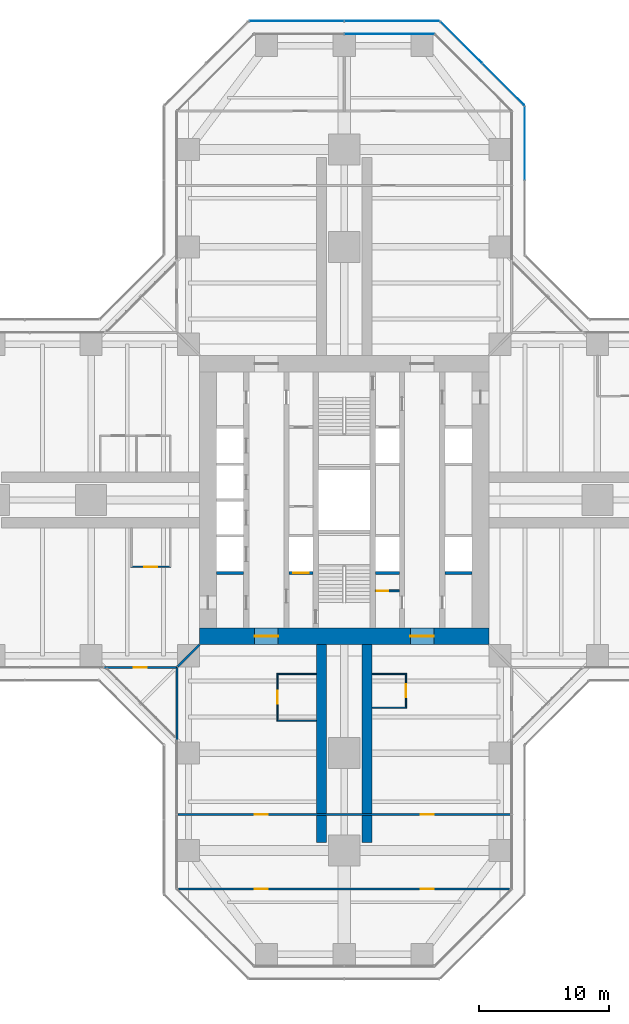
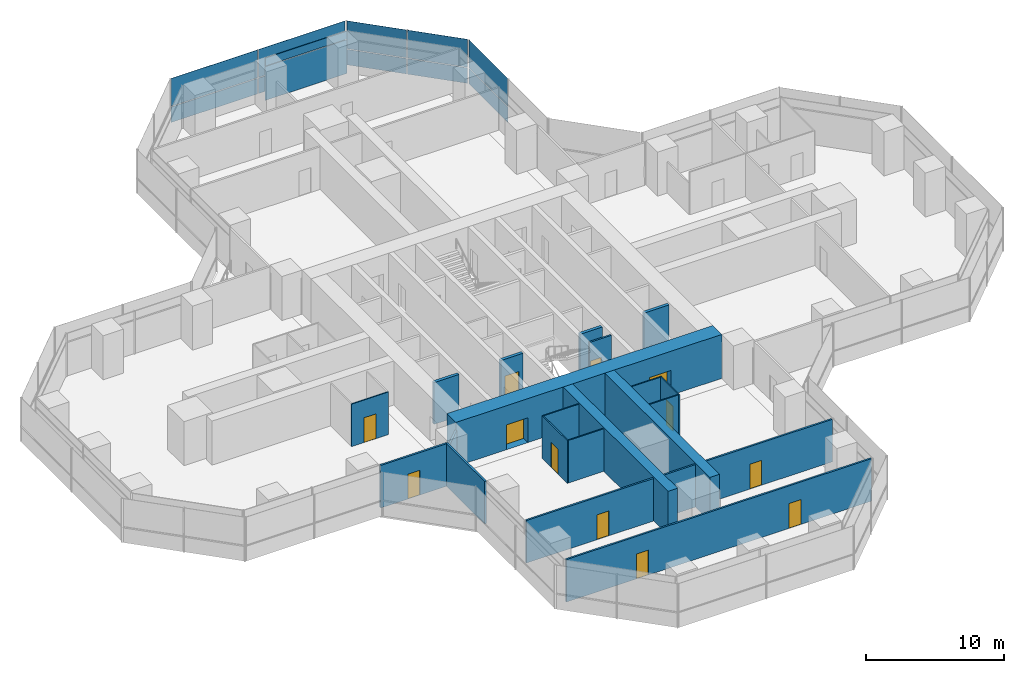
# One storey, part 17 of 22: 20 walls, 12 doors, 12 plates, 12 openings, 4 elements without a shape of their own.
"""IFC4 building model written with IfcOpenShell, lengths in metres."""

import ifcopenshell
import ifcopenshell.guid

model = None  # the IFC model being written
_history = None  # IfcOwnerHistory: only IFC2X3 demands one
_inside = {}  # id of a spatial element -> (the spatial element, [elements in it])
_under = {}  # id of a project, library or spatial element -> (it, [spatial elements below it])
_declared = {}  # id of a project -> (the project, [libraries it declares])
_typed = {}  # id of a type object -> (the type object, [elements of that type])
_made_of = {}  # id of a material, layer set ... -> (it, [elements and type objects made of it])


def new_model(schema):
    """Start an empty IFC model of exactly this schema.

    Asked for "IFC4X3", IfcOpenShell would pick the latest addendum, in which some entities
    have other attributes; the version numbers below select the first issue.
    IFC2X3 requires an IfcOwnerHistory on every rooted entity: one is made here for all.
    """
    global model, _history
    if schema == "IFC4X3":
        model = ifcopenshell.file(schema_version=(4, 3, 0, 0))
    else:
        model = ifcopenshell.file(schema=schema)
    _inside.clear()
    _under.clear()
    _declared.clear()
    _typed.clear()
    _made_of.clear()
    _history = None
    if model.schema == "IFC2X3":
        org = make("IfcOrganization", Name="unknown")
        user = make(
            "IfcPersonAndOrganization",
            ThePerson=make("IfcPerson", FamilyName="unknown"),
            TheOrganization=org,
        )
        app = make(
            "IfcApplication",
            ApplicationDeveloper=org,
            Version="unknown",
            ApplicationFullName="unknown",
            ApplicationIdentifier="unknown",
        )
        _history = make(
            "IfcOwnerHistory",
            OwningUser=user,
            OwningApplication=app,
            ChangeAction="ADDED",
            CreationDate=0,
        )
    return model


def make(cls, **values):
    """One entity of the class cls with the attributes given. An attribute that is None is left unset."""
    return model.create_entity(
        cls, **{name: value for name, value in values.items() if value is not None}
    )


def rooted(cls, **values):
    """An entity with a GlobalId (a new one), such as an element, a storey or a relation."""
    return make(cls, GlobalId=ifcopenshell.guid.new(), OwnerHistory=_history, **values)


def si_unit(unit_type, name, prefix=None):
    """IfcSIUnit, for example si_unit("LENGTHUNIT", "METRE", prefix="MILLI")."""
    return make("IfcSIUnit", UnitType=unit_type, Prefix=prefix, Name=name)


def assignment(units):
    """IfcUnitAssignment: the units of a project."""
    return None if units is None else make("IfcUnitAssignment", Units=units)


def point(xyz):
    """IfcCartesianPoint."""
    return None if xyz is None else make("IfcCartesianPoint", Coordinates=xyz)


def direction(xyz):
    """IfcDirection."""
    return None if xyz is None else make("IfcDirection", DirectionRatios=xyz)


def frame(location, z_axis=None, x_axis=None):
    """IfcAxis2Placement3D, a coordinate frame: its origin and axes. An axis left out is left unset."""
    return make(
        "IfcAxis2Placement3D",
        Location=point(location),
        Axis=direction(z_axis),
        RefDirection=direction(x_axis),
    )


def frame_2d(location, x_axis=None):
    """IfcAxis2Placement2D, a coordinate frame in the plane: its origin and x axis."""
    return make(
        "IfcAxis2Placement2D", Location=point(location), RefDirection=direction(x_axis)
    )


def origin():
    """The frame at (0, 0, 0) with its axes left unset."""
    return frame((0.0, 0.0, 0.0))


def origin_2d():
    """The frame at (0, 0) in the plane with its x axis left unset."""
    return frame_2d((0.0, 0.0))


def place(relative_to, where):
    """IfcLocalPlacement: puts the frame where relative to a parent placement (None: the world)."""
    return make(
        "IfcLocalPlacement", PlacementRelTo=relative_to, RelativePlacement=where
    )


def context(
    kind, dimensions, precision=None, world=None, true_north=None, identifier=None
):
    """IfcGeometricRepresentationContext, for example the 3D "Model" context."""
    return make(
        "IfcGeometricRepresentationContext",
        ContextIdentifier=identifier,
        ContextType=kind,
        CoordinateSpaceDimension=dimensions,
        Precision=precision,
        WorldCoordinateSystem=world,
        TrueNorth=true_north,
    )


def subcontext(parent, identifier, kind, view, scale=None):
    """IfcGeometricRepresentationSubContext, for example "Body" below "Model"."""
    return make(
        "IfcGeometricRepresentationSubContext",
        ContextIdentifier=identifier,
        ContextType=kind,
        ParentContext=parent,
        TargetScale=scale,
        TargetView=view,
    )


def project(units=None, contexts=None):
    """IfcProject with its units and contexts."""
    return rooted(
        "IfcProject",
        Name="project",
        RepresentationContexts=contexts,
        UnitsInContext=assignment(units),
    )


def spatial(cls, under=None, at=None, **own):
    """A site, building, storey or space (cls), placed at a placement, below another one or the project."""
    s = rooted(cls, ObjectPlacement=at, **own)
    if under is not None:
        _under.setdefault(under.id(), (under, []))[1].append(s)
    return s


def profile(cls, at=None, kind="AREA", **sizes):
    """A parametric profile (cls). Its sizes go by their IFC names, for example OverallWidth=200.0."""
    return make(cls, ProfileType=kind, Position=at, **sizes)


def rectangle(**sizes):
    """IfcRectangleProfileDef."""
    return profile("IfcRectangleProfileDef", **sizes)


def extrude(swept, where, along, depth):
    """IfcExtrudedAreaSolid: the profile swept, set in the frame where, extruded along a direction by depth."""
    return make(
        "IfcExtrudedAreaSolid",
        SweptArea=swept,
        Position=where,
        ExtrudedDirection=direction(along),
        Depth=depth,
    )


def shape(context_of_items, identifier, shape_type, items):
    """IfcShapeRepresentation: the items that make up one representation, for example the "Body"."""
    return make(
        "IfcShapeRepresentation",
        ContextOfItems=context_of_items,
        RepresentationIdentifier=identifier,
        RepresentationType=shape_type,
        Items=items,
    )


def material(Name=None, Category=None):
    """IfcMaterial."""
    return make("IfcMaterial", Name=Name, Category=Category)


def layer(
    of_material, thickness, ventilated=None, Name=None, Category=None, Priority=None
):
    """IfcMaterialLayer: one layer of a wall or slab, of a material (None: an air gap)."""
    return make(
        "IfcMaterialLayer",
        Material=of_material,
        LayerThickness=thickness,
        IsVentilated=ventilated,
        Name=Name,
        Category=Category,
        Priority=Priority,
    )


def layer_set(layers, Name=None):
    """IfcMaterialLayerSet."""
    return make("IfcMaterialLayerSet", MaterialLayers=layers, LayerSetName=Name)


def made_of(thing, what):
    """Note that an element or type object is made of a material, layer set ...; save() writes the relation."""
    if what is not None:
        _made_of.setdefault(what.id(), (what, []))[1].append(thing)
    return thing


def type_object(cls, material=None, **own):
    """A type object (cls), such as IfcWallType, which elements share."""
    return made_of(rooted(cls, **own), material)


def element(
    cls,
    number,
    at=None,
    inside=None,
    cuts=None,
    type_object=None,
    material=None,
    context=None,
    identifier="Body",
    shape_type=None,
    held_by="IfcProductDefinitionShape",
    body=None,
    shapes=None,
    **own,
):
    """One element of the class cls, such as IfcWall. Its Tag is "e" and its number.

    at: its placement. inside: the storey or other place that contains it. cuts: it is an
    opening in that element (IfcRelVoidsElement). A single representation is given by context,
    identifier, shape_type and body (its items); several are given by shapes. held_by: the class
    of the entity that holds the representations. save() writes the other relations.
    """
    e = rooted(cls, Tag="e%d" % number, ObjectPlacement=at, **own)
    if body is not None:
        shapes = [shape(context, identifier, shape_type, body)]
    if shapes is not None:
        e.Representation = make(held_by, Representations=shapes)
    if inside is not None:
        _inside.setdefault(inside.id(), (inside, []))[1].append(e)
    if cuts is not None:
        rooted(
            "IfcRelVoidsElement", RelatingBuildingElement=cuts, RelatedOpeningElement=e
        )
    if type_object is not None:
        _typed.setdefault(type_object.id(), (type_object, []))[1].append(e)
    return made_of(e, material)


def fill(opening, filler):
    """IfcRelFillsElement: the door or window that sits in an opening."""
    return rooted(
        "IfcRelFillsElement",
        RelatingOpeningElement=opening,
        RelatedBuildingElement=filler,
    )


def aggregate(whole, parts):
    """IfcRelAggregates: a whole, such as a stair, and the parts it consists of."""
    return rooted("IfcRelAggregates", RelatingObject=whole, RelatedObjects=parts)


def save(model, path):
    """Write the relations noted so far, then the file.

    IfcRelAggregates (storeys below a building ...), IfcRelContainedInSpatialStructure (elements
    in a storey), IfcRelDefinesByType, IfcRelAssociatesMaterial and IfcRelDeclares: one each for
    every whole, place, type object, material and project.
    """
    for whole, parts in _under.values():
        aggregate(whole, parts)
    for where, things in _inside.values():
        rooted(
            "IfcRelContainedInSpatialStructure",
            RelatedElements=things,
            RelatingStructure=where,
        )
    for kind, things in _typed.values():
        rooted("IfcRelDefinesByType", RelatedObjects=things, RelatingType=kind)
    for what, things in _made_of.values():
        rooted("IfcRelAssociatesMaterial", RelatedObjects=things, RelatingMaterial=what)
    for by, libraries in _declared.values():
        rooted("IfcRelDeclares", RelatingContext=by, RelatedDefinitions=libraries)
    model.write(path)


model = new_model("IFC4")

# Units and contexts
model_context = context("Model", 3, precision=1e-05, world=origin(), true_north=direction((0.0, 1.0)))
body_context = subcontext(model_context, "Body", "Model", "MODEL_VIEW")
ifc_project = project(units=[si_unit("LENGTHUNIT", "METRE"), si_unit("AREAUNIT", "SQUARE_METRE"), si_unit("VOLUMEUNIT", "CUBIC_METRE"), si_unit("PLANEANGLEUNIT", "RADIAN"), si_unit("MASSUNIT", "GRAM", prefix="KILO")], contexts=[model_context])

# Site, building, storey
site_placement = place(None, origin())
site = spatial("IfcSite", under=ifc_project, at=site_placement, CompositionType="ELEMENT")
building_placement = place(site_placement, origin())
building = spatial("IfcBuilding", under=site, at=building_placement, Name="Mizan Broadcast Tower", CompositionType="ELEMENT")
storey_placement = place(building_placement, frame((0.0, 0.0, 90.300048828125)))
storey = spatial("IfcBuildingStorey", under=building, at=storey_placement, Name="L19", CompositionType="ELEMENT", Elevation=90.300048828125)

# Curtain wall, plates
ifc_material_1 = material(Name="Aluminium framed glazing", Category="aluminium")
curtain_wall_type_1 = type_object("IfcCurtainWallType", Name="INNER SKIN LOW ZONE", PredefinedType="USERDEFINED", material=ifc_material_1)
curtain_wall_1_placement = place(storey_placement, origin())
curtain_wall_1 = element("IfcCurtainWall", 1, at=curtain_wall_1_placement, inside=storey, type_object=curtain_wall_type_1, Name="Inner skin low zone L19 N end", ObjectType="INNER SKIN LOW ZONE", PredefinedType="USERDEFINED")
ifc_material_2 = material(Name="Double glazing, clear low-e", Category="glass")
ifc_layer_1 = layer(ifc_material_2, 0.028076171875)
ifc_layer_set_1 = layer_set([ifc_layer_1], Name="Double glazing, clear low-e")
plate_type_1 = type_object("IfcPlateType", Name="INNER SKIN GLAZING UNIT", PredefinedType="CURTAIN_PANEL", material=ifc_layer_set_1)
plate_1_placement = place(storey_placement, frame((3.46435546875, 35.89990234375, 0.0), z_axis=(0.0, 0.0, 1.0), x_axis=(-1.0, 0.0, 0.0)))
plate_1 = element("IfcPlate", 2, at=plate_1_placement, type_object=plate_type_1, Name="Inner skin low zone L19 N end panel 1.1", PredefinedType="CURTAIN_PANEL", context=body_context, shape_type="SweptSolid", body=[
    extrude(rectangle(XDim=6.86865234375, YDim=0.028076171875, at=origin_2d()), origin(), (0.0, 0.0, 1.0), 3.0),
])
ifc_material_3 = material(Name="Insulated aluminium spandrel panel, pale anodised", Category="aluminium")
ifc_layer_2 = layer(ifc_material_3, 0.050048828125)
ifc_layer_set_2 = layer_set([ifc_layer_2], Name="Insulated aluminium spandrel panel, pale anodised")
plate_type_2 = type_object("IfcPlateType", Name="INNER SKIN SPANDREL PANEL", PredefinedType="CURTAIN_PANEL", material=ifc_layer_set_2)
plate_2_placement = place(storey_placement, frame((3.46435546875, 35.89990234375, 3.06005859375), z_axis=(0.0, 0.0, 1.0), x_axis=(-1.0, 0.0, 0.0)))
plate_2 = element("IfcPlate", 3, at=plate_2_placement, type_object=plate_type_2, Name="Inner skin low zone L19 N end panel 1.2", PredefinedType="CURTAIN_PANEL", context=body_context, shape_type="SweptSolid", body=[
    extrude(rectangle(XDim=6.86865234375, YDim=0.050048828125, at=origin_2d()), origin(), (0.0, 0.0, 1.0), 0.7099609375),
])
aggregate(curtain_wall_1, [plate_1, plate_2])

ifc_material_4 = material(Name="Aluminium framed glazing", Category="aluminium")
curtain_wall_type_2 = type_object("IfcCurtainWallType", Name="OUTER SKIN", PredefinedType="USERDEFINED", material=ifc_material_4)
curtain_wall_2_placement = place(storey_placement, origin())
curtain_wall_2 = element("IfcCurtainWall", 4, at=curtain_wall_2_placement, inside=storey, type_object=curtain_wall_type_2, Name="Outer skin L19 N chamfer", ObjectType="OUTER SKIN", PredefinedType="USERDEFINED")
ifc_material_5 = material(Name="Laminated clear glass", Category="glass")
ifc_layer_3 = layer(ifc_material_5, 0.02001953125)
ifc_layer_set_3 = layer_set([ifc_layer_3], Name="Laminated clear glass")
plate_type_3 = type_object("IfcPlateType", Name="OUTER SKIN CLEAR GLASS", PredefinedType="CURTAIN_PANEL", material=ifc_layer_set_3)
plate_3_placement = place(storey_placement, frame((12.254150390625, 32.018798828125, 0.0), z_axis=(0.0, 0.0, 1.0), x_axis=(-0.707106781187, 0.707106781187, 0.0)))
plate_3 = element("IfcPlate", 5, at=plate_3_placement, type_object=plate_type_3, Name="Outer skin L19 N chamfer panel 1.1", PredefinedType="CURTAIN_PANEL", context=body_context, shape_type="SweptSolid", body=[
    extrude(rectangle(XDim=4.495361328125, YDim=0.02001953125, at=origin_2d()), origin(), (0.0, 0.0, 1.0), 1.3701171875),
])
plate_4_placement = place(storey_placement, frame((12.254150390625, 32.018798828125, 1.43017578125), z_axis=(0.0, 0.0, 1.0), x_axis=(-0.707106781187, 0.707106781187, 0.0)))
plate_4 = element("IfcPlate", 6, at=plate_4_placement, type_object=plate_type_3, Name="Outer skin L19 N chamfer panel 1.2", PredefinedType="CURTAIN_PANEL", context=body_context, shape_type="SweptSolid", body=[
    extrude(rectangle(XDim=4.495361328125, YDim=0.02001953125, at=origin_2d()), origin(), (0.0, 0.0, 1.0), 2.469970703125),
])

curtain_wall_3_placement = place(storey_placement, origin())
curtain_wall_3 = element("IfcCurtainWall", 7, at=curtain_wall_3_placement, inside=storey, type_object=curtain_wall_type_2, Name="Outer skin L19 N end", ObjectType="OUTER SKIN", PredefinedType="USERDEFINED")
plate_5_placement = place(storey_placement, frame((3.66650390625, 36.89990234375, 0.0), z_axis=(0.0, 0.0, 1.0), x_axis=(-1.0, 0.0, 0.0)))
plate_5 = element("IfcPlate", 8, at=plate_5_placement, type_object=plate_type_3, Name="Outer skin L19 N end panel 1.1", PredefinedType="CURTAIN_PANEL", context=body_context, shape_type="SweptSolid", body=[
    extrude(rectangle(XDim=7.252685546875, YDim=0.02001953125, at=origin_2d()), origin(), (0.0, 0.0, 1.0), 1.3701171875),
])
plate_6_placement = place(storey_placement, frame((3.66650390625, 36.89990234375, 1.43017578125), z_axis=(0.0, 0.0, 1.0), x_axis=(-1.0, 0.0, 0.0)))
plate_6 = element("IfcPlate", 9, at=plate_6_placement, type_object=plate_type_3, Name="Outer skin L19 N end panel 1.2", PredefinedType="CURTAIN_PANEL", context=body_context, shape_type="SweptSolid", body=[
    extrude(rectangle(XDim=7.252685546875, YDim=0.02001953125, at=origin_2d()), origin(), (0.0, 0.0, 1.0), 2.469970703125),
])
plate_7_placement = place(storey_placement, frame((-3.66650390625, 36.89990234375, 0.0), z_axis=(0.0, 0.0, 1.0), x_axis=(-1.0, 0.0, 0.0)))
plate_7 = element("IfcPlate", 10, at=plate_7_placement, type_object=plate_type_3, Name="Outer skin L19 N end panel 2.1", PredefinedType="CURTAIN_PANEL", context=body_context, shape_type="SweptSolid", body=[
    extrude(rectangle(XDim=7.252685546875, YDim=0.02001953125, at=origin_2d()), origin(), (0.0, 0.0, 1.0), 1.3701171875),
])
plate_8_placement = place(storey_placement, frame((-3.66650390625, 36.89990234375, 1.43017578125), z_axis=(0.0, 0.0, 1.0), x_axis=(-1.0, 0.0, 0.0)))
plate_8 = element("IfcPlate", 11, at=plate_8_placement, type_object=plate_type_3, Name="Outer skin L19 N end panel 2.2", PredefinedType="CURTAIN_PANEL", context=body_context, shape_type="SweptSolid", body=[
    extrude(rectangle(XDim=7.252685546875, YDim=0.02001953125, at=origin_2d()), origin(), (0.0, 0.0, 1.0), 2.469970703125),
])
aggregate(curtain_wall_3, [plate_5, plate_6, plate_7, plate_8])

curtain_wall_4_placement = place(storey_placement, origin())
curtain_wall_4 = element("IfcCurtainWall", 12, at=curtain_wall_4_placement, inside=storey, type_object=curtain_wall_type_2, Name="Outer skin L19 N side", ObjectType="OUTER SKIN", PredefinedType="USERDEFINED")
ifc_material_6 = material(Name="Perforated aluminium, pale anodised", Category="aluminium")
ifc_layer_4 = layer(ifc_material_6, 0.011962890625)
ifc_layer_set_4 = layer_set([ifc_layer_4], Name="Perforated aluminium, pale anodised")
plate_type_4 = type_object("IfcPlateType", Name="OUTER SKIN PERFORATED SCREEN", PredefinedType="USERDEFINED", material=ifc_layer_set_4)
plate_9_placement = place(storey_placement, frame((13.89990234375, 27.477783203125, 0.0), z_axis=(0.0, 0.0, 1.0), x_axis=(0.0, 1.0, 0.0)))
plate_9 = element("IfcPlate", 13, at=plate_9_placement, type_object=plate_type_4, Name="Outer skin L19 N side panel 2.1", ObjectType="SCREEN", PredefinedType="USERDEFINED", context=body_context, shape_type="SweptSolid", body=[
    extrude(rectangle(XDim=5.6298828125, YDim=0.011962890625, at=origin_2d()), origin(), (0.0, 0.0, 1.0), 1.3701171875),
])
plate_10_placement = place(storey_placement, frame((13.89990234375, 27.477783203125, 1.43017578125), z_axis=(0.0, 0.0, 1.0), x_axis=(0.0, 1.0, 0.0)))
plate_10 = element("IfcPlate", 14, at=plate_10_placement, type_object=plate_type_4, Name="Outer skin L19 N side panel 2.2", ObjectType="SCREEN", PredefinedType="USERDEFINED", context=body_context, shape_type="SweptSolid", body=[
    extrude(rectangle(XDim=5.6298828125, YDim=0.011962890625, at=origin_2d()), origin(), (0.0, 0.0, 1.0), 2.469970703125),
])
aggregate(curtain_wall_4, [plate_9, plate_10])

# Plate
plate_11_placement = place(storey_placement, frame((9.018798828125, 35.254150390625, 0.0), z_axis=(0.0, 0.0, 1.0), x_axis=(-0.707106781187, 0.707106781187, 0.0)))
plate_11 = element("IfcPlate", 15, at=plate_11_placement, type_object=plate_type_4, Name="Outer skin L19 N chamfer panel 2.1", ObjectType="SCREEN", PredefinedType="USERDEFINED", context=body_context, shape_type="SweptSolid", body=[
    extrude(rectangle(XDim=4.495361328125, YDim=0.011962890625, at=origin_2d()), origin(), (0.0, 0.0, 1.0), 1.3701171875),
])

plate_12_placement = place(storey_placement, frame((9.018798828125, 35.254150390625, 1.43017578125), z_axis=(0.0, 0.0, 1.0), x_axis=(-0.707106781187, 0.707106781187, 0.0)))
plate_12 = element("IfcPlate", 16, at=plate_12_placement, type_object=plate_type_4, Name="Outer skin L19 N chamfer panel 2.2", ObjectType="SCREEN", PredefinedType="USERDEFINED", context=body_context, shape_type="SweptSolid", body=[
    extrude(rectangle(XDim=4.495361328125, YDim=0.011962890625, at=origin_2d()), origin(), (0.0, 0.0, 1.0), 2.469970703125),
])

aggregate(curtain_wall_2, [plate_3, plate_4, plate_11, plate_12])

# Wall, opening, door
ifc_material_7 = material(Name="Concrete blockwork", Category="masonry")
ifc_layer_5 = layer(ifc_material_7, 0.14990234375)
ifc_layer_set_5 = layer_set([ifc_layer_5], Name="Concrete blockwork")
wall_type_1 = type_object("IfcWallType", Name="CORE PARTITION 150", PredefinedType="SOLIDWALL", material=ifc_layer_set_5)
wall_1_placement = place(storey_placement, frame((2.39990234375, -7.0, 0.0), z_axis=(0.0, 0.0, 1.0), x_axis=(1.0, 0.0, 0.0)))
wall_1 = element("IfcWall", 17, at=wall_1_placement, inside=storey, type_object=wall_type_1, Name="Core partition CORE/XPC", PredefinedType="SOLIDWALL", context=body_context, shape_type="SweptSolid", body=[
    extrude(rectangle(XDim=1.85009765625, YDim=0.14990234375, at=frame_2d((0.925048828125, 0.0))), origin(), (0.0, 0.0, 1.0), 3.77001953125),
])
opening_1_placement = place(wall_1_placement, frame((0.10009765625, 0.0, 0.0)))
opening_1 = element("IfcOpeningElement", 18, at=opening_1_placement, cuts=wall_1, Name="Opening D09F", PredefinedType="OPENING", context=body_context, shape_type="SweptSolid", body=[
    extrude(rectangle(XDim=0.89990234375, YDim=2.10009765625, at=frame_2d((0.449951171875, 1.050048828125))), frame((0.0, 0.0849609375, 0.0), z_axis=(0.0, -1.0, 0.0), x_axis=(1.0, 0.0, 0.0)), (0.0, 0.0, 1.0), 0.169921875),
])
ifc_material_8 = material(Name="Steel door leaf in steel frame", Category="steel")
door_type_1 = type_object("IfcDoorType", Name="CORE ROOM DOOR 900 FD90", OperationType="SINGLE_SWING_LEFT", PredefinedType="DOOR", material=ifc_material_8)
door_1_placement = place(opening_1_placement, origin())
door_1 = element("IfcDoor", 19, at=door_1_placement, inside=storey, type_object=door_type_1, Name="Waste store door", OperationType="SINGLE_SWING_LEFT", OverallHeight=2.10009765625, OverallWidth=0.89990234375, PredefinedType="DOOR", context=body_context, shape_type="SweptSolid", body=[
    extrude(rectangle(XDim=0.89990234375, YDim=2.10009765625, at=frame_2d((0.449951171875, 1.050048828125))), frame((0.0, 0.02490234375, 0.0), z_axis=(0.0, -1.0, 0.0), x_axis=(1.0, 0.0, 0.0)), (0.0, 0.0, 1.0), 0.050048828125),
])
fill(opening_1, door_1)

# Wall, openings, doors
ifc_material_9 = material(Name="Concrete C70/85", Category="concrete")
ifc_layer_6 = layer(ifc_material_9, 1.300048828125)
ifc_layer_set_6 = layer_set([ifc_layer_6], Name="Concrete C70/85")
wall_type_2 = type_object("IfcWallType", Name="CORE WALL 1300", PredefinedType="SHEAR", material=ifc_layer_set_6)
wall_2_placement = place(storey_placement, frame((11.14990234375, -10.5, 0.0), z_axis=(0.0, 0.0, 1.0), x_axis=(-1.0, 0.0, 0.0)))
wall_2 = element("IfcWall", 20, at=wall_2_placement, inside=storey, type_object=wall_type_2, Name="Core wall S L19", PredefinedType="SHEAR", context=body_context, shape_type="SweptSolid", body=[
    extrude(rectangle(XDim=22.2998046875, YDim=1.300048828125, at=frame_2d((11.14990234375, 0.0))), origin(), (0.0, 0.0, 1.0), 3.89990234375),
])
opening_2_placement = place(wall_2_placement, frame((16.25, 0.0, 0.0)))
opening_2 = element("IfcOpeningElement", 21, at=opening_2_placement, cuts=wall_2, Name="Opening D18F", PredefinedType="OPENING", context=body_context, shape_type="SweptSolid", body=[
    extrude(rectangle(XDim=1.800048828125, YDim=2.199951171875, at=frame_2d((0.89990234375, 1.10009765625))), frame((0.0, 0.659912109375, 0.0), z_axis=(0.0, -1.0, 0.0), x_axis=(1.0, 0.0, 0.0)), (0.0, 0.0, 1.0), 1.320068359375),
])
opening_3_placement = place(wall_2_placement, frame((4.25, 0.0, 0.0)))
opening_3 = element("IfcOpeningElement", 22, at=opening_3_placement, cuts=wall_2, Name="Opening D18F", PredefinedType="OPENING", context=body_context, shape_type="SweptSolid", body=[
    extrude(rectangle(XDim=1.800048828125, YDim=2.199951171875, at=frame_2d((0.89990234375, 1.10009765625))), frame((0.0, 0.659912109375, 0.0), z_axis=(0.0, -1.0, 0.0), x_axis=(1.0, 0.0, 0.0)), (0.0, 0.0, 1.0), 1.320068359375),
])
ifc_material_10 = material(Name="Steel door leaf in steel frame", Category="steel")
door_type_2 = type_object("IfcDoorType", Name="LOBBY DOUBLE DOOR 1800 FD90", OperationType="DOUBLE_DOOR_DOUBLE_SWING", PredefinedType="DOOR", material=ifc_material_10)
door_2_placement = place(opening_2_placement, origin())
door_2 = element("IfcDoor", 23, at=door_2_placement, inside=storey, type_object=door_type_2, Name="West lift lobby south door", OperationType="DOUBLE_DOOR_DOUBLE_SWING", OverallHeight=2.199951171875, OverallWidth=1.800048828125, PredefinedType="DOOR", context=body_context, shape_type="SweptSolid", body=[
    extrude(rectangle(XDim=1.800048828125, YDim=2.199951171875, at=frame_2d((0.89990234375, 1.10009765625))), frame((0.0, 0.02490234375, 0.0), z_axis=(0.0, -1.0, 0.0), x_axis=(1.0, 0.0, 0.0)), (0.0, 0.0, 1.0), 0.050048828125),
])
fill(opening_2, door_2)
door_3_placement = place(opening_3_placement, origin())
door_3 = element("IfcDoor", 24, at=door_3_placement, inside=storey, type_object=door_type_2, Name="East lift lobby south door", OperationType="DOUBLE_DOOR_DOUBLE_SWING", OverallHeight=2.199951171875, OverallWidth=1.800048828125, PredefinedType="DOOR", context=body_context, shape_type="SweptSolid", body=[
    extrude(rectangle(XDim=1.800048828125, YDim=2.199951171875, at=frame_2d((0.89990234375, 1.10009765625))), frame((0.0, 0.02490234375, 0.0), z_axis=(0.0, -1.0, 0.0), x_axis=(1.0, 0.0, 0.0)), (0.0, 0.0, 1.0), 0.050048828125),
])
fill(opening_3, door_3)

# Wall, opening, door
ifc_material_11 = material(Name="Aluminium framed glazed screen", Category="aluminium")
ifc_layer_7 = layer(ifc_material_11, 0.159912109375)
ifc_layer_set_7 = layer_set([ifc_layer_7], Name="Aluminium framed glazed screen")
wall_type_3 = type_object("IfcWallType", Name="GLAZED SCREEN WALL 160", PredefinedType="SOLIDWALL", material=ifc_layer_set_7)
wall_3_placement = place(storey_placement, frame((-18.5, -12.89990234375, 0.0), z_axis=(0.0, 0.0, 1.0), x_axis=(1.0, 0.0, 0.0)))
wall_3 = element("IfcWall", 25, at=wall_3_placement, inside=storey, type_object=wall_type_3, Name="Winter garden screen L19 W", PredefinedType="SOLIDWALL", context=body_context, shape_type="SweptSolid", body=[
    extrude(rectangle(XDim=5.60009765625, YDim=0.159912109375, at=frame_2d((2.800048828125, 0.0))), origin(), (0.0, 0.0, 1.0), 3.77001953125),
])
opening_4_placement = place(wall_3_placement, frame((2.300048828125, 0.0, 0.0)))
opening_4 = element("IfcOpeningElement", 26, at=opening_4_placement, cuts=wall_3, Name="Opening WGD", PredefinedType="OPENING", context=body_context, shape_type="SweptSolid", body=[
    extrude(rectangle(XDim=1.0, YDim=2.199951171875, at=frame_2d((0.5, 1.10009765625))), frame((0.0, 0.08984375, 0.0), z_axis=(0.0, -1.0, 0.0), x_axis=(1.0, 0.0, 0.0)), (0.0, 0.0, 1.0), 0.179931640625),
])
ifc_material_12 = material(Name="Aluminium framed glazed door", Category="aluminium")
door_type_3 = type_object("IfcDoorType", Name="WINTER GARDEN DOOR 1000 GLAZED", OperationType="SINGLE_SWING_LEFT", PredefinedType="DOOR", material=ifc_material_12)
door_4_placement = place(opening_4_placement, origin())
door_4 = element("IfcDoor", 27, at=door_4_placement, inside=storey, type_object=door_type_3, Name="Winter garden door L19 W", OperationType="SINGLE_SWING_RIGHT", OverallHeight=2.199951171875, OverallWidth=1.0, PredefinedType="DOOR", context=body_context, shape_type="SweptSolid", body=[
    extrude(rectangle(XDim=1.0, YDim=2.199951171875, at=frame_2d((0.5, 1.10009765625))), frame((0.0, 0.02490234375, 0.0), z_axis=(0.0, -1.0, 0.0), x_axis=(1.0, 0.0, 0.0)), (0.0, 0.0, 1.0), 0.050048828125),
])
fill(opening_4, door_4)

# Walls
wall_4_placement = place(storey_placement, frame((-12.89990234375, -12.89990234375, 0.0), z_axis=(0.0, 0.0, 1.0), x_axis=(0.0, -1.0, 0.0)))
element("IfcWall", 28, at=wall_4_placement, inside=storey, type_object=wall_type_3, Name="Winter garden screen L19 S", PredefinedType="SOLIDWALL", context=body_context, shape_type="SweptSolid", body=[
    extrude(rectangle(XDim=5.60009765625, YDim=0.159912109375, at=frame_2d((2.800048828125, 0.0))), origin(), (0.0, 0.0, 1.0), 3.77001953125),
])
ifc_material_13 = material(Name="Concrete blockwork", Category="masonry")
ifc_layer_8 = layer(ifc_material_13, 0.25)
ifc_layer_set_8 = layer_set([ifc_layer_8], Name="Concrete blockwork")
wall_type_4 = type_object("IfcWallType", Name="LOBBY ENCLOSURE WALL 250", PredefinedType="SOLIDWALL", material=ifc_layer_set_8)
wall_5_placement = place(storey_placement, frame((-9.85009765625, -5.625, 0.0), z_axis=(0.0, 0.0, 1.0), x_axis=(1.0, 0.0, 0.0)))
element("IfcWall", 29, at=wall_5_placement, inside=storey, type_object=wall_type_4, Name="Lobby enclosure wall CORE/BW1S", PredefinedType="SOLIDWALL", context=body_context, shape_type="SweptSolid", body=[
    extrude(rectangle(XDim=2.10009765625, YDim=0.25, at=frame_2d((1.050048828125, 0.0))), origin(), (0.0, 0.0, 1.0), 3.699951171875),
])

# Wall, opening, door
wall_6_placement = place(storey_placement, frame((-4.25, -5.625, 0.0), z_axis=(0.0, 0.0, 1.0), x_axis=(1.0, 0.0, 0.0)))
wall_6 = element("IfcWall", 30, at=wall_6_placement, inside=storey, type_object=wall_type_4, Name="Lobby enclosure wall CORE/BW2S", PredefinedType="SOLIDWALL", context=body_context, shape_type="SweptSolid", body=[
    extrude(rectangle(XDim=1.85009765625, YDim=0.25, at=frame_2d((0.925048828125, 0.0))), origin(), (0.0, 0.0, 1.0), 3.699951171875),
])
opening_5_placement = place(wall_6_placement, frame((0.324951171875, 0.0, 0.0)))
opening_5 = element("IfcOpeningElement", 31, at=opening_5_placement, cuts=wall_6, Name="Opening LDF", PredefinedType="OPENING", context=body_context, shape_type="SweptSolid", body=[
    extrude(rectangle(XDim=1.199951171875, YDim=2.199951171875, at=frame_2d((0.60009765625, 1.10009765625))), frame((0.0, 0.135009765625, 0.0), z_axis=(0.0, -1.0, 0.0), x_axis=(1.0, 0.0, 0.0)), (0.0, 0.0, 1.0), 0.27001953125),
])
ifc_material_14 = material(Name="Steel door leaf in steel frame", Category="steel")
door_type_4 = type_object("IfcDoorType", Name="FIREFIGHTING LIFT LANDING DOOR 1200", OperationType="SLIDING_TO_LEFT", PredefinedType="DOOR", material=ifc_material_14)
door_5_placement = place(opening_5_placement, origin())
door_5 = element("IfcDoor", 32, at=door_5_placement, inside=storey, type_object=door_type_4, Name="Landing door FF1", OperationType="SLIDING_TO_LEFT", OverallHeight=2.199951171875, OverallWidth=1.199951171875, PredefinedType="DOOR", context=body_context, shape_type="SweptSolid", body=[
    extrude(rectangle(XDim=1.199951171875, YDim=2.199951171875, at=frame_2d((0.60009765625, 1.10009765625))), frame((0.0, 0.02490234375, 0.0), z_axis=(0.0, -1.0, 0.0), x_axis=(1.0, 0.0, 0.0)), (0.0, 0.0, 1.0), 0.050048828125),
])
fill(opening_5, door_5)

# Walls
wall_7_placement = place(storey_placement, frame((2.39990234375, -5.625, 0.0), z_axis=(0.0, 0.0, 1.0), x_axis=(1.0, 0.0, 0.0)))
element("IfcWall", 33, at=wall_7_placement, inside=storey, type_object=wall_type_4, Name="Lobby enclosure wall CORE/BE2S", PredefinedType="SOLIDWALL", context=body_context, shape_type="SweptSolid", body=[
    extrude(rectangle(XDim=1.85009765625, YDim=0.25, at=frame_2d((0.925048828125, 0.0))), origin(), (0.0, 0.0, 1.0), 3.699951171875),
])
wall_8_placement = place(storey_placement, frame((7.75, -5.625, 0.0), z_axis=(0.0, 0.0, 1.0), x_axis=(1.0, 0.0, 0.0)))
element("IfcWall", 34, at=wall_8_placement, inside=storey, type_object=wall_type_4, Name="Lobby enclosure wall CORE/BE1S", PredefinedType="SOLIDWALL", context=body_context, shape_type="SweptSolid", body=[
    extrude(rectangle(XDim=2.10009765625, YDim=0.25, at=frame_2d((1.050048828125, 0.0))), origin(), (0.0, 0.0, 1.0), 3.699951171875),
])

# Wall, openings, doors
ifc_material_15 = material(Name="Gypsum board on steel studs", Category="steel")
ifc_layer_9 = layer(ifc_material_15, 0.14990234375)
ifc_layer_set_9 = layer_set([ifc_layer_9], Name="Gypsum board on steel studs")
wall_type_5 = type_object("IfcWallType", Name="PARTITION 150", PredefinedType="PARTITIONING", material=ifc_layer_set_9)
wall_9_placement = place(storey_placement, frame((-12.820068359375, -24.22900390625, 0.0), z_axis=(0.0, 0.0, 1.0), x_axis=(1.0, 0.0, 0.0)))
wall_9 = element("IfcWall", 35, at=wall_9_placement, inside=storey, type_object=wall_type_5, Name="Partition PT/SX1", PredefinedType="PARTITIONING", context=body_context, shape_type="SweptSolid", body=[
    extrude(rectangle(XDim=25.64013671875, YDim=0.14990234375, at=frame_2d((12.820068359375, 0.0))), origin(), (0.0, 0.0, 1.0), 3.77001953125),
])
opening_6_placement = place(wall_9_placement, frame((18.719970703125, 0.0, 0.0)))
opening_6 = element("IfcOpeningElement", 36, at=opening_6_placement, cuts=wall_9, Name="Opening D10", PredefinedType="OPENING", context=body_context, shape_type="SweptSolid", body=[
    extrude(rectangle(XDim=1.0, YDim=2.199951171875, at=frame_2d((0.5, 1.10009765625))), frame((0.0, 0.0849609375, 0.0), z_axis=(0.0, -1.0, 0.0), x_axis=(1.0, 0.0, 0.0)), (0.0, 0.0, 1.0), 0.169921875),
])
opening_7_placement = place(wall_9_placement, frame((5.919921875, 0.0, 0.0)))
opening_7 = element("IfcOpeningElement", 37, at=opening_7_placement, cuts=wall_9, Name="Opening D10", PredefinedType="OPENING", context=body_context, shape_type="SweptSolid", body=[
    extrude(rectangle(XDim=1.0, YDim=2.199951171875, at=frame_2d((0.5, 1.10009765625))), frame((0.0, 0.0849609375, 0.0), z_axis=(0.0, -1.0, 0.0), x_axis=(1.0, 0.0, 0.0)), (0.0, 0.0, 1.0), 0.169921875),
])
ifc_material_16 = material(Name="Timber door leaf in aluminium frame", Category="wood")
door_type_5 = type_object("IfcDoorType", Name="ROOM DOOR 1000", OperationType="SINGLE_SWING_LEFT", PredefinedType="DOOR", material=ifc_material_16)
door_6_placement = place(opening_6_placement, origin())
door_6 = element("IfcDoor", 38, at=door_6_placement, inside=storey, type_object=door_type_5, Name="Client meeting room door", OperationType="SINGLE_SWING_RIGHT", OverallHeight=2.199951171875, OverallWidth=1.0, PredefinedType="DOOR", context=body_context, shape_type="SweptSolid", body=[
    extrude(rectangle(XDim=1.0, YDim=2.199951171875, at=frame_2d((0.5, 1.10009765625))), frame((0.0, 0.02490234375, 0.0), z_axis=(0.0, -1.0, 0.0), x_axis=(1.0, 0.0, 0.0)), (0.0, 0.0, 1.0), 0.050048828125),
])
fill(opening_6, door_6)
door_7_placement = place(opening_7_placement, origin())
door_7 = element("IfcDoor", 39, at=door_7_placement, inside=storey, type_object=door_type_5, Name="Client meeting room door", OperationType="SINGLE_SWING_LEFT", OverallHeight=2.199951171875, OverallWidth=1.0, PredefinedType="DOOR", context=body_context, shape_type="SweptSolid", body=[
    extrude(rectangle(XDim=1.0, YDim=2.199951171875, at=frame_2d((0.5, 1.10009765625))), frame((0.0, 0.02490234375, 0.0), z_axis=(0.0, -1.0, 0.0), x_axis=(1.0, 0.0, 0.0)), (0.0, 0.0, 1.0), 0.050048828125),
])
fill(opening_7, door_7)

wall_10_placement = place(storey_placement, frame((-12.786376953125, -29.958984375, 0.0), z_axis=(0.0, 0.0, 1.0), x_axis=(1.0, 0.0, 0.0)))
wall_10 = element("IfcWall", 40, at=wall_10_placement, inside=storey, type_object=wall_type_5, Name="Partition PT/SX2", PredefinedType="PARTITIONING", context=body_context, shape_type="SweptSolid", body=[
    extrude(rectangle(XDim=25.57275390625, YDim=0.14990234375, at=frame_2d((12.786376953125, 0.0))), origin(), (0.0, 0.0, 1.0), 3.77001953125),
])
opening_8_placement = place(wall_10_placement, frame((18.6865234375, 0.0, 0.0)))
opening_8 = element("IfcOpeningElement", 41, at=opening_8_placement, cuts=wall_10, Name="Opening D10", PredefinedType="OPENING", context=body_context, shape_type="SweptSolid", body=[
    extrude(rectangle(XDim=1.0, YDim=2.199951171875, at=frame_2d((0.5, 1.10009765625))), frame((0.0, 0.0849609375, 0.0), z_axis=(0.0, -1.0, 0.0), x_axis=(1.0, 0.0, 0.0)), (0.0, 0.0, 1.0), 0.169921875),
])
opening_9_placement = place(wall_10_placement, frame((5.886474609375, 0.0, 0.0)))
opening_9 = element("IfcOpeningElement", 42, at=opening_9_placement, cuts=wall_10, Name="Opening D10", PredefinedType="OPENING", context=body_context, shape_type="SweptSolid", body=[
    extrude(rectangle(XDim=1.0, YDim=2.199951171875, at=frame_2d((0.5, 1.10009765625))), frame((0.0, 0.0849609375, 0.0), z_axis=(0.0, -1.0, 0.0), x_axis=(1.0, 0.0, 0.0)), (0.0, 0.0, 1.0), 0.169921875),
])
door_8_placement = place(opening_8_placement, origin())
door_8 = element("IfcDoor", 43, at=door_8_placement, inside=storey, type_object=door_type_5, Name="Client meeting room door", OperationType="SINGLE_SWING_RIGHT", OverallHeight=2.199951171875, OverallWidth=1.0, PredefinedType="DOOR", context=body_context, shape_type="SweptSolid", body=[
    extrude(rectangle(XDim=1.0, YDim=2.199951171875, at=frame_2d((0.5, 1.10009765625))), frame((0.0, 0.02490234375, 0.0), z_axis=(0.0, -1.0, 0.0), x_axis=(1.0, 0.0, 0.0)), (0.0, 0.0, 1.0), 0.050048828125),
])
fill(opening_8, door_8)
door_9_placement = place(opening_9_placement, origin())
door_9 = element("IfcDoor", 44, at=door_9_placement, inside=storey, type_object=door_type_5, Name="Client meeting room door", OperationType="SINGLE_SWING_LEFT", OverallHeight=2.199951171875, OverallWidth=1.0, PredefinedType="DOOR", context=body_context, shape_type="SweptSolid", body=[
    extrude(rectangle(XDim=1.0, YDim=2.199951171875, at=frame_2d((0.5, 1.10009765625))), frame((0.0, 0.02490234375, 0.0), z_axis=(0.0, -1.0, 0.0), x_axis=(1.0, 0.0, 0.0)), (0.0, 0.0, 1.0), 0.050048828125),
])
fill(opening_9, door_9)

# Wall
wall_11_placement = place(storey_placement, frame((-11.14990234375, -11.14990234375, 0.0), z_axis=(0.0, 0.0, 1.0), x_axis=(-0.707106781187, -0.707106781187, 0.0)))
element("IfcWall", 45, at=wall_11_placement, inside=storey, type_object=wall_type_5, Name="Partition PT/DGWS", PredefinedType="PARTITIONING", context=body_context, shape_type="SweptSolid", body=[
    extrude(rectangle(XDim=2.362060546875, YDim=0.14990234375, at=frame_2d((1.18115234375, 0.0))), origin(), (0.0, 0.0, 1.0), 3.219970703125),
])

# Wall, opening, door
ifc_material_17 = material(Name="Glazed aluminium partition on aluminium track", Category="aluminium")
ifc_layer_10 = layer(ifc_material_17, 0.10009765625)
ifc_layer_set_10 = layer_set([ifc_layer_10], Name="Glazed aluminium partition on aluminium track")
wall_type_6 = type_object("IfcWallType", Name="PARTITION GLAZED OFFICE FRONT 100", PredefinedType="PARTITIONING", material=ifc_layer_set_10)
wall_12_placement = place(storey_placement, frame((-13.35009765625, -5.14990234375, 0.0), z_axis=(0.0, 0.0, 1.0), x_axis=(-1.0, 0.0, 0.0)))
wall_12 = element("IfcWall", 46, at=wall_12_placement, inside=storey, type_object=wall_type_6, Name="Glazed office front PT/WKP0f", PredefinedType="PARTITIONING", context=body_context, shape_type="SweptSolid", body=[
    extrude(rectangle(XDim=3.099853515625, YDim=0.10009765625, at=frame_2d((1.5498046875, 0.0))), origin(), (0.0, 0.0, 1.0), 3.77001953125),
])
opening_10_placement = place(wall_12_placement, frame((1.050048828125, 0.0, 0.0)))
opening_10 = element("IfcOpeningElement", 47, at=opening_10_placement, cuts=wall_12, Name="Opening D10O", PredefinedType="OPENING", context=body_context, shape_type="SweptSolid", body=[
    extrude(rectangle(XDim=1.0, YDim=2.199951171875, at=frame_2d((0.5, 1.10009765625))), frame((0.0, 0.06005859375, 0.0), z_axis=(0.0, -1.0, 0.0), x_axis=(1.0, 0.0, 0.0)), (0.0, 0.0, 1.0), 0.1201171875),
])
ifc_material_18 = material(Name="Timber door leaf in aluminium frame", Category="wood")
door_type_6 = type_object("IfcDoorType", Name="OFFICE DOOR 1000 GLAZED", OperationType="SINGLE_SWING_LEFT", PredefinedType="DOOR", material=ifc_material_18)
door_10_placement = place(opening_10_placement, origin())
door_10 = element("IfcDoor", 48, at=door_10_placement, inside=storey, type_object=door_type_6, Name="Pantry door", OperationType="SINGLE_SWING_LEFT", OverallHeight=2.199951171875, OverallWidth=1.0, PredefinedType="DOOR", context=body_context, shape_type="SweptSolid", body=[
    extrude(rectangle(XDim=1.0, YDim=2.199951171875, at=frame_2d((0.5, 1.10009765625))), frame((0.0, 0.02490234375, 0.0), z_axis=(0.0, -1.0, 0.0), x_axis=(1.0, 0.0, 0.0)), (0.0, 0.0, 1.0), 0.050048828125),
])
fill(opening_10, door_10)

# Walls
for number, where, z_axis, x_axis, name in (
    (49, (2.14990234375, -13.39990234375, 0.0), (0.0, 0.0, 1.0), (1.0, 0.0, 0.0), "Glazed office front PT/SKP0a"),
    (50, (2.14990234375, -16.0, 0.0), (0.0, 0.0, 1.0), (1.0, 0.0, 0.0), "Glazed office front PT/SKP0b"),
):
    element("IfcWall", number, at=place(storey_placement, frame(where, z_axis=z_axis, x_axis=x_axis)), inside=storey, type_object=wall_type_6, Name=name, PredefinedType="PARTITIONING", context=body_context, shape_type="SweptSolid", body=[
        extrude(rectangle(XDim=2.60009765625, YDim=0.10009765625, at=frame_2d((1.300048828125, 0.0))), origin(), (0.0, 0.0, 1.0), 3.77001953125),
    ])

# Wall, opening, door
wall_13_placement = place(storey_placement, frame((4.75, -13.35009765625, 0.0), z_axis=(0.0, 0.0, 1.0), x_axis=(0.0, -1.0, 0.0)))
wall_13 = element("IfcWall", 51, at=wall_13_placement, inside=storey, type_object=wall_type_6, Name="Glazed office front PT/SKP0f", PredefinedType="PARTITIONING", context=body_context, shape_type="SweptSolid", body=[
    extrude(rectangle(XDim=2.699951171875, YDim=0.10009765625, at=frame_2d((1.35009765625, 0.0))), origin(), (0.0, 0.0, 1.0), 3.77001953125),
])
opening_11_placement = place(wall_13_placement, frame((0.85009765625, 0.0, 0.0)))
opening_11 = element("IfcOpeningElement", 52, at=opening_11_placement, cuts=wall_13, Name="Opening D10O", PredefinedType="OPENING", context=body_context, shape_type="SweptSolid", body=[
    extrude(rectangle(XDim=1.0, YDim=2.199951171875, at=frame_2d((0.5, 1.10009765625))), frame((0.0, 0.06005859375, 0.0), z_axis=(0.0, -1.0, 0.0), x_axis=(1.0, 0.0, 0.0)), (0.0, 0.0, 1.0), 0.1201171875),
])
door_11_placement = place(opening_11_placement, origin())
door_11 = element("IfcDoor", 53, at=door_11_placement, inside=storey, type_object=door_type_6, Name="Client cloakroom door", OperationType="SINGLE_SWING_LEFT", OverallHeight=2.199951171875, OverallWidth=1.0, PredefinedType="DOOR", context=body_context, shape_type="SweptSolid", body=[
    extrude(rectangle(XDim=1.0, YDim=2.199951171875, at=frame_2d((0.5, 1.10009765625))), frame((0.0, 0.02490234375, 0.0), z_axis=(0.0, -1.0, 0.0), x_axis=(1.0, 0.0, 0.0)), (0.0, 0.0, 1.0), 0.050048828125),
])
fill(opening_11, door_11)

# Walls
for number, where, z_axis, x_axis, name in (
    (54, (-2.14990234375, -13.39990234375, 0.0), (0.0, 0.0, 1.0), (-1.0, 0.0, 0.0), "Glazed office front PT/SKN0a"),
    (55, (-2.14990234375, -17.0, 0.0), (0.0, 0.0, 1.0), (-1.0, 0.0, 0.0), "Glazed office front PT/SKN0b"),
):
    element("IfcWall", number, at=place(storey_placement, frame(where, z_axis=z_axis, x_axis=x_axis)), inside=storey, type_object=wall_type_6, Name=name, PredefinedType="PARTITIONING", context=body_context, shape_type="SweptSolid", body=[
        extrude(rectangle(XDim=3.0, YDim=0.10009765625, at=frame_2d((1.5, 0.0))), origin(), (0.0, 0.0, 1.0), 3.77001953125),
    ])

# Wall, opening, door
wall_14_placement = place(storey_placement, frame((-5.14990234375, -13.35009765625, 0.0), z_axis=(0.0, 0.0, 1.0), x_axis=(0.0, -1.0, 0.0)))
wall_14 = element("IfcWall", 56, at=wall_14_placement, inside=storey, type_object=wall_type_6, Name="Glazed office front PT/SKN0f", PredefinedType="PARTITIONING", context=body_context, shape_type="SweptSolid", body=[
    extrude(rectangle(XDim=3.699951171875, YDim=0.10009765625, at=frame_2d((1.85009765625, 0.0))), origin(), (0.0, 0.0, 1.0), 3.77001953125),
])
opening_12_placement = place(wall_14_placement, frame((1.35009765625, 0.0, 0.0)))
opening_12 = element("IfcOpeningElement", 57, at=opening_12_placement, cuts=wall_14, Name="Opening D10O", PredefinedType="OPENING", context=body_context, shape_type="SweptSolid", body=[
    extrude(rectangle(XDim=1.0, YDim=2.199951171875, at=frame_2d((0.5, 1.10009765625))), frame((0.0, 0.06005859375, 0.0), z_axis=(0.0, -1.0, 0.0), x_axis=(1.0, 0.0, 0.0)), (0.0, 0.0, 1.0), 0.1201171875),
])
door_12_placement = place(opening_12_placement, origin())
door_12 = element("IfcDoor", 58, at=door_12_placement, inside=storey, type_object=door_type_6, Name="Client pantry door", OperationType="SINGLE_SWING_LEFT", OverallHeight=2.199951171875, OverallWidth=1.0, PredefinedType="DOOR", context=body_context, shape_type="SweptSolid", body=[
    extrude(rectangle(XDim=1.0, YDim=2.199951171875, at=frame_2d((0.5, 1.10009765625))), frame((0.0, 0.02490234375, 0.0), z_axis=(0.0, -1.0, 0.0), x_axis=(1.0, 0.0, 0.0)), (0.0, 0.0, 1.0), 0.050048828125),
])
fill(opening_12, door_12)

# Walls
ifc_material_19 = material(Name="Concrete C70/85", Category="concrete")
ifc_layer_11 = layer(ifc_material_19, 0.800048828125)
ifc_layer_set_11 = layer_set([ifc_layer_11], Name="Concrete C70/85")
wall_type_7 = type_object("IfcWallType", Name="SPINE WALL 800", PredefinedType="SHEAR", material=ifc_layer_set_11)
for number, where, z_axis, x_axis, name in (
    (59, (-1.75, -11.14990234375, 0.0), (0.0, 0.0, 1.0), (0.0, -1.0, 0.0), "Spine wall SR L19"),
    (60, (1.75, -11.14990234375, 0.0), (0.0, 0.0, 1.0), (0.0, -1.0, 0.0), "Spine wall SL L19"),
):
    element("IfcWall", number, at=place(storey_placement, frame(where, z_axis=z_axis, x_axis=x_axis)), inside=storey, type_object=wall_type_7, Name=name, PredefinedType="SHEAR", context=body_context, shape_type="SweptSolid", body=[
        extrude(rectangle(XDim=15.25, YDim=0.800048828125, at=frame_2d((7.625, 0.0))), origin(), (0.0, 0.0, 1.0), 3.89990234375),
    ])

save(model, "model.ifc")
